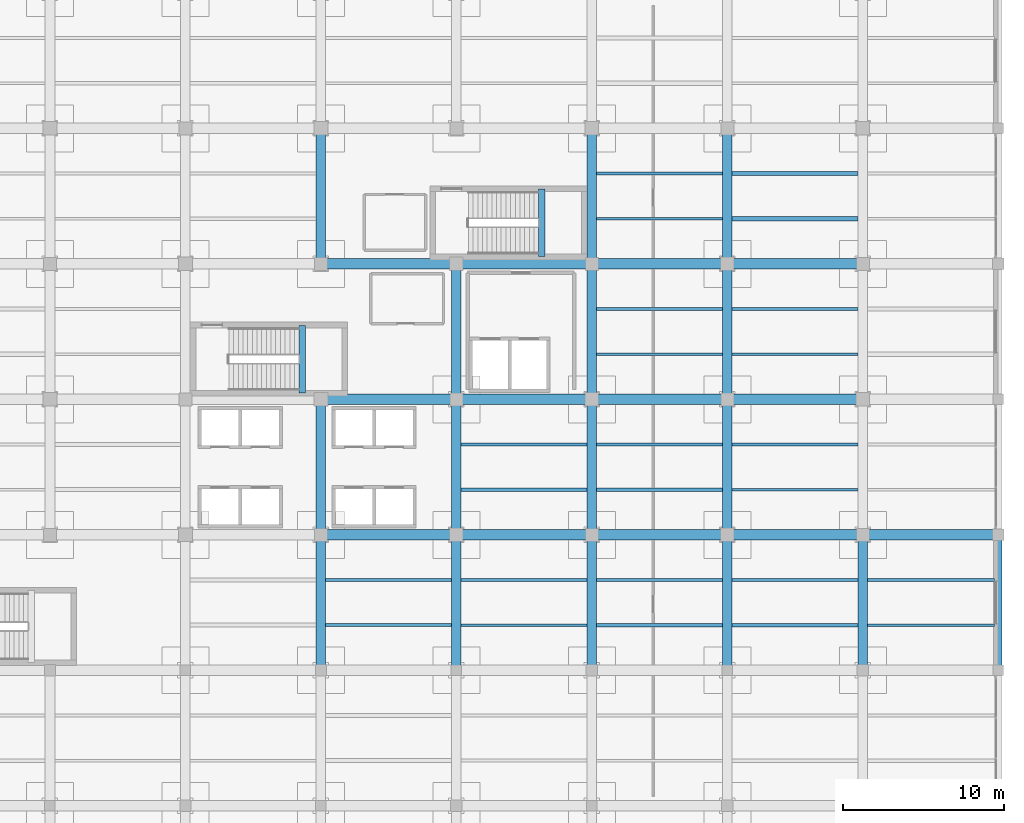
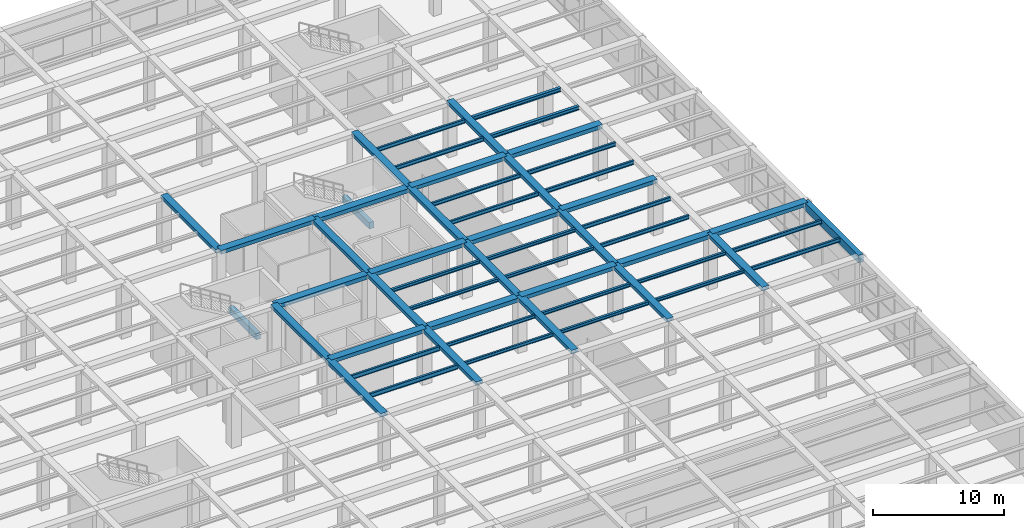
# One storey, part 33 of 65: 55 beams.
"""IFC4 building model written with IfcOpenShell, lengths in metres."""

from ifc_helpers import new_model, si_unit, direction, frame, origin, origin_2d, place, context, subcontext, project, spatial, rectangle, i_section, extrude, material, material_profile, profile_set, type_object, element, save


model = new_model("IFC4")

# Units and contexts
model_context = context("Model", 3, precision=1e-05, world=origin(), true_north=direction((0.0, 1.0)))
body_context = subcontext(model_context, "Body", "Model", "MODEL_VIEW")
ifc_project = project(units=[si_unit("LENGTHUNIT", "METRE"), si_unit("AREAUNIT", "SQUARE_METRE"), si_unit("VOLUMEUNIT", "CUBIC_METRE"), si_unit("PLANEANGLEUNIT", "RADIAN"), si_unit("MASSUNIT", "GRAM", prefix="KILO")], contexts=[model_context])

# Site, building, storey
site_placement = place(None, origin())
site = spatial("IfcSite", under=ifc_project, at=site_placement, CompositionType="ELEMENT")
building_placement = place(site_placement, origin())
building = spatial("IfcBuilding", under=site, at=building_placement, Name="Almacenes y Pasaje Nevantli", CompositionType="ELEMENT")
storey_placement = place(building_placement, frame((0.0, 0.0, 16.800048828125)))
storey = spatial("IfcBuildingStorey", under=building, at=storey_placement, Name="L04", CompositionType="ELEMENT", Elevation=16.800048828125)

# Beams
ifc_material_1 = material(Name="Concrete C35/45", Category="concrete")
ifc_material_profile_1 = material_profile(ifc_material_1, rectangle(XDim=0.39990234375, YDim=0.60009765625, at=origin_2d()), Name="RC-BM-400x600")
ifc_profile_set_1 = profile_set([ifc_material_profile_1], Name="Concrete C35/45")
beam_type_1 = type_object("IfcBeamType", Name="BM-RC-400x600", PredefinedType="SPANDREL", material=ifc_profile_set_1)
for number, where, z_axis, x_axis, name in (
    (1, (124.85009765625, 76.0, 2.199951171875), (0.0, 1.0, 0.0), (-1.0, 0.0, 0.0), "L04 Stair ST-01 Half-Landing Support Beam"),
    (2, (139.699951171875, 84.449951171875, 2.199951171875), (0.0, 1.0, 0.0), (-1.0, 0.0, 0.0), "L04 Stair ST-02 Half-Landing Support Beam"),
):
    element("IfcBeam", number, at=place(storey_placement, frame(where, z_axis=z_axis, x_axis=x_axis)), inside=storey, type_object=beam_type_1, Name=name, PredefinedType="SPANDREL", context=body_context, shape_type="SweptSolid", body=[
        extrude(rectangle(XDim=0.39990234375, YDim=0.60009765625, at=origin_2d()), origin(), (0.0, 0.0, 1.0), 4.18994140625),
    ])
ifc_material_2 = material(Name="Concrete C35/45", Category="concrete")
ifc_material_profile_2 = material_profile(ifc_material_2, rectangle(XDim=0.449951171875, YDim=0.699951171875, at=origin_2d()), Name="RC-BM-450x700")
ifc_profile_set_2 = profile_set([ifc_material_profile_2], Name="Concrete C35/45")
beam_type_2 = type_object("IfcBeamType", Name="BM-RC-450x700", PredefinedType="SPANDREL", material=ifc_profile_set_2)
beam_1_placement = place(storey_placement, frame((168.0, 58.800048828125, 4.75), z_axis=(0.0, 1.0, 0.0), x_axis=(-1.0, 0.0, 0.0)))
element("IfcBeam", 3, at=beam_1_placement, inside=storey, type_object=beam_type_2, Name="L04 North-South Reinforced Concrete Beam #3222", PredefinedType="SPANDREL", context=body_context, shape_type="SweptSolid", body=[
    extrude(rectangle(XDim=0.449951171875, YDim=0.699951171875, at=origin_2d()), origin(), (0.0, 0.0, 1.0), 8.39990234375),
])
ifc_material_3 = material(Name="Concrete C35/45", Category="concrete")
ifc_material_profile_3 = material_profile(ifc_material_3, rectangle(XDim=0.60009765625, YDim=0.320068359375, at=origin_2d()), Name="RC-BM-600x320")
ifc_profile_set_3 = profile_set([ifc_material_profile_3], Name="Concrete C35/45")
beam_type_3 = type_object("IfcBeamType", Name="BM-RC-600x320", PredefinedType="BEAM", material=ifc_profile_set_3)
beam_2_placement = place(storey_placement, frame((126.0, 67.199951171875, 4.93994140625), z_axis=(0.0, 1.0, 0.0), x_axis=(-1.0, 0.0, 0.0)))
element("IfcBeam", 4, at=beam_2_placement, inside=storey, type_object=beam_type_3, Name="L04 North-South Reinforced Concrete Beam #3157", PredefinedType="BEAM", context=body_context, shape_type="SweptSolid", body=[
    extrude(rectangle(XDim=0.60009765625, YDim=0.320068359375, at=origin_2d()), origin(), (0.0, 0.0, 1.0), 8.400146484375),
])
for number, where, z_axis, x_axis, name in (
    (5, (126.0, 84.0, 4.93994140625), (0.0, 1.0, 0.0), (-1.0, 0.0, 0.0), "L04 North-South Reinforced Concrete Beam #3158"),
    (6, (134.39990234375, 58.800048828125, 4.93994140625), (0.0, 1.0, 0.0), (-1.0, 0.0, 0.0), "L04 North-South Reinforced Concrete Beam #3168"),
    (7, (134.39990234375, 75.60009765625, 4.93994140625), (0.0, 1.0, 0.0), (-1.0, 0.0, 0.0), "L04 North-South Reinforced Concrete Beam #3170"),
):
    element("IfcBeam", number, at=place(storey_placement, frame(where, z_axis=z_axis, x_axis=x_axis)), inside=storey, type_object=beam_type_3, Name=name, PredefinedType="BEAM", context=body_context, shape_type="SweptSolid", body=[
        extrude(rectangle(XDim=0.60009765625, YDim=0.320068359375, at=origin_2d()), origin(), (0.0, 0.0, 1.0), 8.39990234375),
    ])
beam_3_placement = place(storey_placement, frame((142.800048828125, 67.199951171875, 4.93994140625), z_axis=(0.0, 1.0, 0.0), x_axis=(-1.0, 0.0, 0.0)))
element("IfcBeam", 8, at=beam_3_placement, inside=storey, type_object=beam_type_3, Name="L04 North-South Reinforced Concrete Beam #3182", PredefinedType="BEAM", context=body_context, shape_type="SweptSolid", body=[
    extrude(rectangle(XDim=0.60009765625, YDim=0.320068359375, at=origin_2d()), origin(), (0.0, 0.0, 1.0), 8.400146484375),
])
for number, where, z_axis, x_axis, name in (
    (9, (142.800048828125, 84.0, 4.93994140625), (0.0, 1.0, 0.0), (-1.0, 0.0, 0.0), "L04 North-South Reinforced Concrete Beam #3184"),
    (10, (151.199951171875, 58.800048828125, 4.93994140625), (0.0, 1.0, 0.0), (-1.0, 0.0, 0.0), "L04 North-South Reinforced Concrete Beam #3195"),
    (11, (151.199951171875, 75.60009765625, 4.93994140625), (0.0, 1.0, 0.0), (-1.0, 0.0, 0.0), "L04 North-South Reinforced Concrete Beam #3197"),
):
    element("IfcBeam", number, at=place(storey_placement, frame(where, z_axis=z_axis, x_axis=x_axis)), inside=storey, type_object=beam_type_3, Name=name, PredefinedType="BEAM", context=body_context, shape_type="SweptSolid", body=[
        extrude(rectangle(XDim=0.60009765625, YDim=0.320068359375, at=origin_2d()), origin(), (0.0, 0.0, 1.0), 8.39990234375),
    ])
ifc_material_4 = material(Name="Concrete C35/45", Category="concrete")
ifc_material_profile_4 = material_profile(ifc_material_4, rectangle(XDim=0.60009765625, YDim=0.340087890625, at=origin_2d()), Name="RC-BM-600x340")
ifc_profile_set_4 = profile_set([ifc_material_profile_4], Name="Concrete C35/45")
beam_type_4 = type_object("IfcBeamType", Name="BM-RC-600x340", PredefinedType="BEAM", material=ifc_profile_set_4)
beam_4_placement = place(storey_placement, frame((126.0, 58.800048828125, 4.929931640625), z_axis=(0.0, 1.0, 0.0), x_axis=(-1.0, 0.0, 0.0)))
element("IfcBeam", 12, at=beam_4_placement, inside=storey, type_object=beam_type_4, Name="L04 North-South Reinforced Concrete Beam #3156", PredefinedType="BEAM", context=body_context, shape_type="SweptSolid", body=[
    extrude(rectangle(XDim=0.60009765625, YDim=0.340087890625, at=origin_2d()), origin(), (0.0, 0.0, 1.0), 8.39990234375),
])
beam_5_placement = place(storey_placement, frame((134.39990234375, 67.199951171875, 4.929931640625), z_axis=(0.0, 1.0, 0.0), x_axis=(-1.0, 0.0, 0.0)))
element("IfcBeam", 13, at=beam_5_placement, inside=storey, type_object=beam_type_4, Name="L04 North-South Reinforced Concrete Beam #3169", PredefinedType="BEAM", context=body_context, shape_type="SweptSolid", body=[
    extrude(rectangle(XDim=0.60009765625, YDim=0.340087890625, at=origin_2d()), origin(), (0.0, 0.0, 1.0), 8.400146484375),
])
for number, where, z_axis, x_axis, name in (
    (14, (142.800048828125, 58.800048828125, 4.929931640625), (0.0, 1.0, 0.0), (-1.0, 0.0, 0.0), "L04 North-South Reinforced Concrete Beam #3181"),
    (15, (142.800048828125, 75.60009765625, 4.929931640625), (0.0, 1.0, 0.0), (-1.0, 0.0, 0.0), "L04 North-South Reinforced Concrete Beam #3183"),
):
    element("IfcBeam", number, at=place(storey_placement, frame(where, z_axis=z_axis, x_axis=x_axis)), inside=storey, type_object=beam_type_4, Name=name, PredefinedType="BEAM", context=body_context, shape_type="SweptSolid", body=[
        extrude(rectangle(XDim=0.60009765625, YDim=0.340087890625, at=origin_2d()), origin(), (0.0, 0.0, 1.0), 8.39990234375),
    ])
beam_6_placement = place(storey_placement, frame((151.199951171875, 67.199951171875, 4.929931640625), z_axis=(0.0, 1.0, 0.0), x_axis=(-1.0, 0.0, 0.0)))
element("IfcBeam", 16, at=beam_6_placement, inside=storey, type_object=beam_type_4, Name="L04 North-South Reinforced Concrete Beam #3196", PredefinedType="BEAM", context=body_context, shape_type="SweptSolid", body=[
    extrude(rectangle(XDim=0.60009765625, YDim=0.340087890625, at=origin_2d()), origin(), (0.0, 0.0, 1.0), 8.400146484375),
])
for number, where, z_axis, x_axis, name in (
    (17, (151.199951171875, 84.0, 4.929931640625), (0.0, 1.0, 0.0), (-1.0, 0.0, 0.0), "L04 North-South Reinforced Concrete Beam #3198"),
    (18, (159.60009765625, 58.800048828125, 4.929931640625), (0.0, 1.0, 0.0), (-1.0, 0.0, 0.0), "L04 North-South Reinforced Concrete Beam #3208"),
):
    element("IfcBeam", number, at=place(storey_placement, frame(where, z_axis=z_axis, x_axis=x_axis)), inside=storey, type_object=beam_type_4, Name=name, PredefinedType="BEAM", context=body_context, shape_type="SweptSolid", body=[
        extrude(rectangle(XDim=0.60009765625, YDim=0.340087890625, at=origin_2d()), origin(), (0.0, 0.0, 1.0), 8.39990234375),
    ])
ifc_material_5 = material(Name="Concrete C35/45", Category="concrete")
ifc_material_profile_5 = material_profile(ifc_material_5, rectangle(XDim=0.64990234375, YDim=0.35009765625, at=origin_2d()), Name="RC-BM-650x350")
ifc_profile_set_5 = profile_set([ifc_material_profile_5], Name="Concrete C35/45")
beam_type_5 = type_object("IfcBeamType", Name="BM-RC-650x350", PredefinedType="BEAM", material=ifc_profile_set_5)
for number, where, z_axis, x_axis, name in (
    (19, (126.0, 67.199951171875, 4.925048828125), (1.0, 0.0, 0.0), (0.0, 1.0, 0.0), "L04 East-West Reinforced Concrete Beam #2883"),
    (20, (142.800048828125, 67.199951171875, 4.925048828125), (1.0, 0.0, 0.0), (0.0, 1.0, 0.0), "L04 East-West Reinforced Concrete Beam #2885"),
    (21, (159.60009765625, 67.199951171875, 4.925048828125), (1.0, 0.0, 0.0), (0.0, 1.0, 0.0), "L04 East-West Reinforced Concrete Beam #2887"),
):
    element("IfcBeam", number, at=place(storey_placement, frame(where, z_axis=z_axis, x_axis=x_axis)), inside=storey, type_object=beam_type_5, Name=name, PredefinedType="BEAM", context=body_context, shape_type="SweptSolid", body=[
        extrude(rectangle(XDim=0.64990234375, YDim=0.35009765625, at=origin_2d()), origin(), (0.0, 0.0, 1.0), 8.39990234375),
    ])
for number, where, z_axis, x_axis, name in (
    (22, (134.39990234375, 75.60009765625, 4.925048828125), (1.0, 0.0, 0.0), (0.0, 1.0, 0.0), "L04 East-West Reinforced Concrete Beam #2901"),
    (23, (151.199951171875, 75.60009765625, 4.925048828125), (1.0, 0.0, 0.0), (0.0, 1.0, 0.0), "L04 East-West Reinforced Concrete Beam #2903"),
):
    element("IfcBeam", number, at=place(storey_placement, frame(where, z_axis=z_axis, x_axis=x_axis)), inside=storey, type_object=beam_type_5, Name=name, PredefinedType="BEAM", context=body_context, shape_type="SweptSolid", body=[
        extrude(rectangle(XDim=0.64990234375, YDim=0.35009765625, at=origin_2d()), origin(), (0.0, 0.0, 1.0), 8.400146484375),
    ])
for number, where, z_axis, x_axis, name in (
    (24, (126.0, 84.0, 4.925048828125), (1.0, 0.0, 0.0), (0.0, 1.0, 0.0), "L04 East-West Reinforced Concrete Beam #2917"),
    (25, (142.800048828125, 84.0, 4.925048828125), (1.0, 0.0, 0.0), (0.0, 1.0, 0.0), "L04 East-West Reinforced Concrete Beam #2919"),
):
    element("IfcBeam", number, at=place(storey_placement, frame(where, z_axis=z_axis, x_axis=x_axis)), inside=storey, type_object=beam_type_5, Name=name, PredefinedType="BEAM", context=body_context, shape_type="SweptSolid", body=[
        extrude(rectangle(XDim=0.64990234375, YDim=0.35009765625, at=origin_2d()), origin(), (0.0, 0.0, 1.0), 8.39990234375),
    ])
ifc_material_6 = material(Name="Concrete C35/45", Category="concrete")
ifc_material_profile_6 = material_profile(ifc_material_6, rectangle(XDim=0.64990234375, YDim=0.3798828125, at=origin_2d()), Name="RC-BM-650x380")
ifc_profile_set_6 = profile_set([ifc_material_profile_6], Name="Concrete C35/45")
beam_type_6 = type_object("IfcBeamType", Name="BM-RC-650x380", PredefinedType="BEAM", material=ifc_profile_set_6)
for number, where, z_axis, x_axis, name in (
    (26, (134.39990234375, 67.199951171875, 4.909912109375), (1.0, 0.0, 0.0), (0.0, 1.0, 0.0), "L04 East-West Reinforced Concrete Beam #2884"),
    (27, (151.199951171875, 67.199951171875, 4.909912109375), (1.0, 0.0, 0.0), (0.0, 1.0, 0.0), "L04 East-West Reinforced Concrete Beam #2886"),
):
    element("IfcBeam", number, at=place(storey_placement, frame(where, z_axis=z_axis, x_axis=x_axis)), inside=storey, type_object=beam_type_6, Name=name, PredefinedType="BEAM", context=body_context, shape_type="SweptSolid", body=[
        extrude(rectangle(XDim=0.64990234375, YDim=0.3798828125, at=origin_2d()), origin(), (0.0, 0.0, 1.0), 8.400146484375),
    ])
for number, where, z_axis, x_axis, name in (
    (28, (126.0, 75.60009765625, 4.909912109375), (1.0, 0.0, 0.0), (0.0, 1.0, 0.0), "L04 East-West Reinforced Concrete Beam #2900"),
    (29, (142.800048828125, 75.60009765625, 4.909912109375), (1.0, 0.0, 0.0), (0.0, 1.0, 0.0), "L04 East-West Reinforced Concrete Beam #2902"),
):
    element("IfcBeam", number, at=place(storey_placement, frame(where, z_axis=z_axis, x_axis=x_axis)), inside=storey, type_object=beam_type_6, Name=name, PredefinedType="BEAM", context=body_context, shape_type="SweptSolid", body=[
        extrude(rectangle(XDim=0.64990234375, YDim=0.3798828125, at=origin_2d()), origin(), (0.0, 0.0, 1.0), 8.39990234375),
    ])
for number, where, z_axis, x_axis, name in (
    (30, (134.39990234375, 84.0, 4.909912109375), (1.0, 0.0, 0.0), (0.0, 1.0, 0.0), "L04 East-West Reinforced Concrete Beam #2918"),
    (31, (151.199951171875, 84.0, 4.909912109375), (1.0, 0.0, 0.0), (0.0, 1.0, 0.0), "L04 East-West Reinforced Concrete Beam #2920"),
):
    element("IfcBeam", number, at=place(storey_placement, frame(where, z_axis=z_axis, x_axis=x_axis)), inside=storey, type_object=beam_type_6, Name=name, PredefinedType="BEAM", context=body_context, shape_type="SweptSolid", body=[
        extrude(rectangle(XDim=0.64990234375, YDim=0.3798828125, at=origin_2d()), origin(), (0.0, 0.0, 1.0), 8.400146484375),
    ])
ifc_material_7 = material(Name="Steel ASTM A992", Category="steel")
ifc_material_profile_7 = material_profile(ifc_material_7, i_section(OverallWidth=0.1650390625, OverallDepth=0.306884765625, WebThickness=0.006591796875, FlangeThickness=0.01025390625, at=origin_2d()), Name="IR 305x44.6")
ifc_profile_set_7 = profile_set([ifc_material_profile_7], Name="Steel ASTM A992")
beam_type_7 = type_object("IfcBeamType", Name="BM-STL-IR-305x44p6", PredefinedType="JOIST", material=ifc_profile_set_7)
for number, where, z_axis, x_axis, name in (
    (32, (134.699951171875, 61.60009765625, 4.9384765625), (1.0, 0.0, 0.0), (0.0, 1.0, 0.0), "L04 Secondary Steel Floor Joist #1265"),
    (33, (134.699951171875, 64.39990234375, 4.9384765625), (1.0, 0.0, 0.0), (0.0, 1.0, 0.0), "L04 Secondary Steel Floor Joist #1266"),
):
    element("IfcBeam", number, at=place(storey_placement, frame(where, z_axis=z_axis, x_axis=x_axis)), inside=storey, type_object=beam_type_7, Name=name, PredefinedType="JOIST", context=body_context, shape_type="SweptSolid", body=[
        extrude(i_section(OverallWidth=0.1650390625, OverallDepth=0.306884765625, WebThickness=0.006591796875, FlangeThickness=0.01025390625, at=origin_2d()), origin(), (0.0, 0.0, 1.0), 7.800048828125),
    ])
ifc_material_8 = material(Name="Steel ASTM A992", Category="steel")
ifc_material_profile_8 = material_profile(ifc_material_8, i_section(OverallWidth=0.202880859375, OverallDepth=0.304931640625, WebThickness=0.007568359375, FlangeThickness=0.01318359375, at=origin_2d()), Name="IR 305x59.5")
ifc_profile_set_8 = profile_set([ifc_material_profile_8], Name="Steel ASTM A992")
beam_type_8 = type_object("IfcBeamType", Name="BM-STL-IR-305x59p5", PredefinedType="JOIST", material=ifc_profile_set_8)
for number, where, z_axis, x_axis, name in (
    (34, (134.699951171875, 70.0, 4.939453125), (1.0, 0.0, 0.0), (0.0, 1.0, 0.0), "L04 Secondary Steel Floor Joist #1267"),
    (35, (134.699951171875, 72.800048828125, 4.939453125), (1.0, 0.0, 0.0), (0.0, 1.0, 0.0), "L04 Secondary Steel Floor Joist #1268"),
):
    element("IfcBeam", number, at=place(storey_placement, frame(where, z_axis=z_axis, x_axis=x_axis)), inside=storey, type_object=beam_type_8, Name=name, PredefinedType="JOIST", context=body_context, shape_type="SweptSolid", body=[
        extrude(i_section(OverallWidth=0.202880859375, OverallDepth=0.304931640625, WebThickness=0.007568359375, FlangeThickness=0.01318359375, at=origin_2d()), origin(), (0.0, 0.0, 1.0), 7.800048828125),
    ])
for number, where, z_axis, x_axis, name in (
    (36, (143.10009765625, 61.60009765625, 4.939453125), (1.0, 0.0, 0.0), (0.0, 1.0, 0.0), "L04 Secondary Steel Floor Joist #1287"),
    (37, (143.10009765625, 64.39990234375, 4.939453125), (1.0, 0.0, 0.0), (0.0, 1.0, 0.0), "L04 Secondary Steel Floor Joist #1288"),
):
    element("IfcBeam", number, at=place(storey_placement, frame(where, z_axis=z_axis, x_axis=x_axis)), inside=storey, type_object=beam_type_8, Name=name, PredefinedType="JOIST", context=body_context, shape_type="SweptSolid", body=[
        extrude(i_section(OverallWidth=0.202880859375, OverallDepth=0.304931640625, WebThickness=0.007568359375, FlangeThickness=0.01318359375, at=origin_2d()), origin(), (0.0, 0.0, 1.0), 7.7998046875),
    ])
ifc_material_9 = material(Name="Steel ASTM A992", Category="steel")
ifc_material_profile_9 = material_profile(ifc_material_9, i_section(OverallWidth=0.205078125, OverallDepth=0.31005859375, WebThickness=0.009521484375, FlangeThickness=0.016357421875, at=origin_2d()), Name="IR 305x74.4")
ifc_profile_set_9 = profile_set([ifc_material_profile_9], Name="Steel ASTM A992")
beam_type_9 = type_object("IfcBeamType", Name="BM-STL-IR-305x74p4", PredefinedType="JOIST", material=ifc_profile_set_9)
for number, where, z_axis, x_axis, name in (
    (38, (143.10009765625, 70.0, 4.93701171875), (1.0, 0.0, 0.0), (0.0, 1.0, 0.0), "L04 Secondary Steel Floor Joist #1289"),
    (39, (143.10009765625, 72.800048828125, 4.93701171875), (1.0, 0.0, 0.0), (0.0, 1.0, 0.0), "L04 Secondary Steel Floor Joist #1290"),
):
    element("IfcBeam", number, at=place(storey_placement, frame(where, z_axis=z_axis, x_axis=x_axis)), inside=storey, type_object=beam_type_9, Name=name, PredefinedType="JOIST", context=body_context, shape_type="SweptSolid", body=[
        extrude(i_section(OverallWidth=0.205078125, OverallDepth=0.31005859375, WebThickness=0.009521484375, FlangeThickness=0.016357421875, at=origin_2d()), origin(), (0.0, 0.0, 1.0), 7.7998046875),
    ])
for number, where, z_axis, x_axis, name in (
    (40, (151.5, 61.60009765625, 4.93701171875), (1.0, 0.0, 0.0), (0.0, 1.0, 0.0), "L04 Secondary Steel Floor Joist #1313"),
    (41, (151.5, 64.39990234375, 4.93701171875), (1.0, 0.0, 0.0), (0.0, 1.0, 0.0), "L04 Secondary Steel Floor Joist #1314"),
):
    element("IfcBeam", number, at=place(storey_placement, frame(where, z_axis=z_axis, x_axis=x_axis)), inside=storey, type_object=beam_type_9, Name=name, PredefinedType="JOIST", context=body_context, shape_type="SweptSolid", body=[
        extrude(i_section(OverallWidth=0.205078125, OverallDepth=0.31005859375, WebThickness=0.009521484375, FlangeThickness=0.016357421875, at=origin_2d()), origin(), (0.0, 0.0, 1.0), 7.800048828125),
    ])
ifc_material_10 = material(Name="Steel ASTM A992", Category="steel")
ifc_material_profile_10 = material_profile(ifc_material_10, i_section(OverallWidth=0.173095703125, OverallDepth=0.35302734375, WebThickness=0.0078125, FlangeThickness=0.01318359375, at=origin_2d()), Name="IR 356x56.6")
ifc_profile_set_10 = profile_set([ifc_material_profile_10], Name="Steel ASTM A992")
beam_type_10 = type_object("IfcBeamType", Name="BM-STL-IR-356x56p6", PredefinedType="JOIST", material=ifc_profile_set_10)
for number, where, z_axis, x_axis, name in (
    (42, (143.10009765625, 78.39990234375, 4.91552734375), (1.0, 0.0, 0.0), (0.0, 1.0, 0.0), "L04 Secondary Steel Floor Joist #1291"),
    (43, (143.10009765625, 81.199951171875, 4.91552734375), (1.0, 0.0, 0.0), (0.0, 1.0, 0.0), "L04 Secondary Steel Floor Joist #1292"),
):
    element("IfcBeam", number, at=place(storey_placement, frame(where, z_axis=z_axis, x_axis=x_axis)), inside=storey, type_object=beam_type_10, Name=name, PredefinedType="JOIST", context=body_context, shape_type="SweptSolid", body=[
        extrude(i_section(OverallWidth=0.173095703125, OverallDepth=0.35302734375, WebThickness=0.0078125, FlangeThickness=0.01318359375, at=origin_2d()), origin(), (0.0, 0.0, 1.0), 7.7998046875),
    ])
for number, where, z_axis, x_axis, name in (
    (44, (151.5, 70.0, 4.91552734375), (1.0, 0.0, 0.0), (0.0, 1.0, 0.0), "L04 Secondary Steel Floor Joist #1315"),
    (45, (151.5, 72.800048828125, 4.91552734375), (1.0, 0.0, 0.0), (0.0, 1.0, 0.0), "L04 Secondary Steel Floor Joist #1316"),
):
    element("IfcBeam", number, at=place(storey_placement, frame(where, z_axis=z_axis, x_axis=x_axis)), inside=storey, type_object=beam_type_10, Name=name, PredefinedType="JOIST", context=body_context, shape_type="SweptSolid", body=[
        extrude(i_section(OverallWidth=0.173095703125, OverallDepth=0.35302734375, WebThickness=0.0078125, FlangeThickness=0.01318359375, at=origin_2d()), origin(), (0.0, 0.0, 1.0), 7.800048828125),
    ])
for number, where, z_axis, x_axis, name in (
    (46, (159.89990234375, 61.60009765625, 4.91552734375), (1.0, 0.0, 0.0), (0.0, 1.0, 0.0), "L04 Secondary Steel Floor Joist #1339"),
    (47, (159.89990234375, 64.39990234375, 4.91552734375), (1.0, 0.0, 0.0), (0.0, 1.0, 0.0), "L04 Secondary Steel Floor Joist #1340"),
):
    element("IfcBeam", number, at=place(storey_placement, frame(where, z_axis=z_axis, x_axis=x_axis)), inside=storey, type_object=beam_type_10, Name=name, PredefinedType="JOIST", context=body_context, shape_type="SweptSolid", body=[
        extrude(i_section(OverallWidth=0.173095703125, OverallDepth=0.35302734375, WebThickness=0.0078125, FlangeThickness=0.01318359375, at=origin_2d()), origin(), (0.0, 0.0, 1.0), 7.875),
    ])
ifc_material_11 = material(Name="Steel ASTM A992", Category="steel")
ifc_material_profile_11 = material_profile(ifc_material_11, i_section(OverallWidth=0.173095703125, OverallDepth=0.364013671875, WebThickness=0.009033203125, FlangeThickness=0.015625, at=origin_2d()), Name="IR 356x67.0")
ifc_profile_set_11 = profile_set([ifc_material_profile_11], Name="Steel ASTM A992")
beam_type_11 = type_object("IfcBeamType", Name="BM-STL-IR-356x67p0", PredefinedType="JOIST", material=ifc_profile_set_11)
for number, where, z_axis, x_axis, name in (
    (48, (143.10009765625, 86.800048828125, 4.909912109375), (1.0, 0.0, 0.0), (0.0, 1.0, 0.0), "L04 Secondary Steel Floor Joist #1293"),
    (49, (143.10009765625, 89.60009765625, 4.909912109375), (1.0, 0.0, 0.0), (0.0, 1.0, 0.0), "L04 Secondary Steel Floor Joist #1294"),
):
    element("IfcBeam", number, at=place(storey_placement, frame(where, z_axis=z_axis, x_axis=x_axis)), inside=storey, type_object=beam_type_11, Name=name, PredefinedType="JOIST", context=body_context, shape_type="SweptSolid", body=[
        extrude(i_section(OverallWidth=0.173095703125, OverallDepth=0.364013671875, WebThickness=0.009033203125, FlangeThickness=0.015625, at=origin_2d()), origin(), (0.0, 0.0, 1.0), 7.7998046875),
    ])
for number, where, z_axis, x_axis, name in (
    (50, (151.5, 78.39990234375, 4.909912109375), (1.0, 0.0, 0.0), (0.0, 1.0, 0.0), "L04 Secondary Steel Floor Joist #1317"),
    (51, (151.5, 81.199951171875, 4.909912109375), (1.0, 0.0, 0.0), (0.0, 1.0, 0.0), "L04 Secondary Steel Floor Joist #1318"),
):
    element("IfcBeam", number, at=place(storey_placement, frame(where, z_axis=z_axis, x_axis=x_axis)), inside=storey, type_object=beam_type_11, Name=name, PredefinedType="JOIST", context=body_context, shape_type="SweptSolid", body=[
        extrude(i_section(OverallWidth=0.173095703125, OverallDepth=0.364013671875, WebThickness=0.009033203125, FlangeThickness=0.015625, at=origin_2d()), origin(), (0.0, 0.0, 1.0), 7.800048828125),
    ])
ifc_material_12 = material(Name="Steel ASTM A992", Category="steel")
ifc_material_profile_12 = material_profile(ifc_material_12, i_section(OverallWidth=0.25390625, OverallDepth=0.35595703125, WebThickness=0.009521484375, FlangeThickness=0.016357421875, at=origin_2d()), Name="IR 356x79.0")
ifc_profile_set_12 = profile_set([ifc_material_profile_12], Name="Steel ASTM A992")
beam_type_12 = type_object("IfcBeamType", Name="BM-STL-IR-356x79p0", PredefinedType="JOIST", material=ifc_profile_set_12)
for number, where, z_axis, x_axis, name in (
    (52, (151.5, 86.800048828125, 4.9140625), (1.0, 0.0, 0.0), (0.0, 1.0, 0.0), "L04 Secondary Steel Floor Joist #1319"),
    (53, (151.5, 89.60009765625, 4.9140625), (1.0, 0.0, 0.0), (0.0, 1.0, 0.0), "L04 Secondary Steel Floor Joist #1320"),
):
    element("IfcBeam", number, at=place(storey_placement, frame(where, z_axis=z_axis, x_axis=x_axis)), inside=storey, type_object=beam_type_12, Name=name, PredefinedType="JOIST", context=body_context, shape_type="SweptSolid", body=[
        extrude(i_section(OverallWidth=0.25390625, OverallDepth=0.35595703125, WebThickness=0.009521484375, FlangeThickness=0.016357421875, at=origin_2d()), origin(), (0.0, 0.0, 1.0), 7.800048828125),
    ])
ifc_material_13 = material(Name="Steel ASTM A992", Category="steel")
ifc_material_profile_13 = material_profile(ifc_material_13, i_section(OverallWidth=0.178955078125, OverallDepth=0.406005859375, WebThickness=0.0087890625, FlangeThickness=0.014404296875, at=origin_2d()), Name="IR 406x67.0")
ifc_profile_set_13 = profile_set([ifc_material_profile_13], Name="Steel ASTM A992")
beam_type_13 = type_object("IfcBeamType", Name="BM-STL-IR-406x67p0", PredefinedType="JOIST", material=ifc_profile_set_13)
for number, where, z_axis, x_axis, name in (
    (54, (126.300048828125, 61.60009765625, 4.888916015625), (1.0, 0.0, 0.0), (0.0, 1.0, 0.0), "L04 Secondary Steel Floor Joist #1245"),
    (55, (126.300048828125, 64.39990234375, 4.888916015625), (1.0, 0.0, 0.0), (0.0, 1.0, 0.0), "L04 Secondary Steel Floor Joist #1246"),
):
    element("IfcBeam", number, at=place(storey_placement, frame(where, z_axis=z_axis, x_axis=x_axis)), inside=storey, type_object=beam_type_13, Name=name, PredefinedType="JOIST", context=body_context, shape_type="SweptSolid", body=[
        extrude(i_section(OverallWidth=0.178955078125, OverallDepth=0.406005859375, WebThickness=0.0087890625, FlangeThickness=0.014404296875, at=origin_2d()), origin(), (0.0, 0.0, 1.0), 7.800048828125),
    ])

save(model, "model.ifc")
